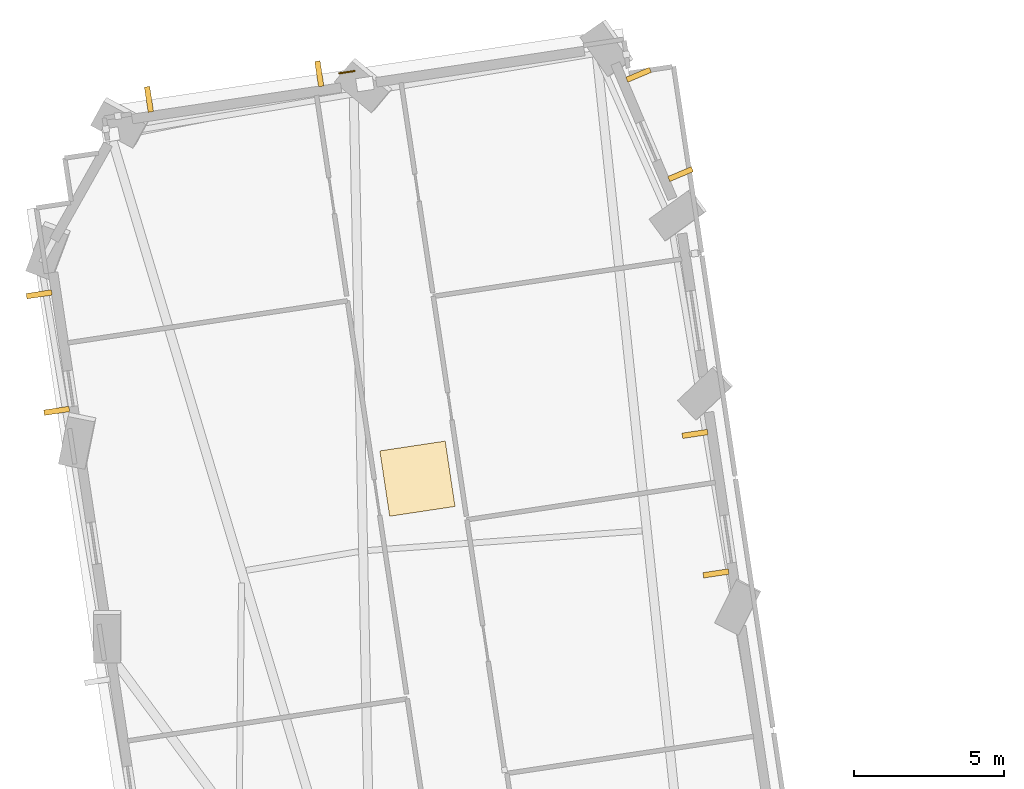
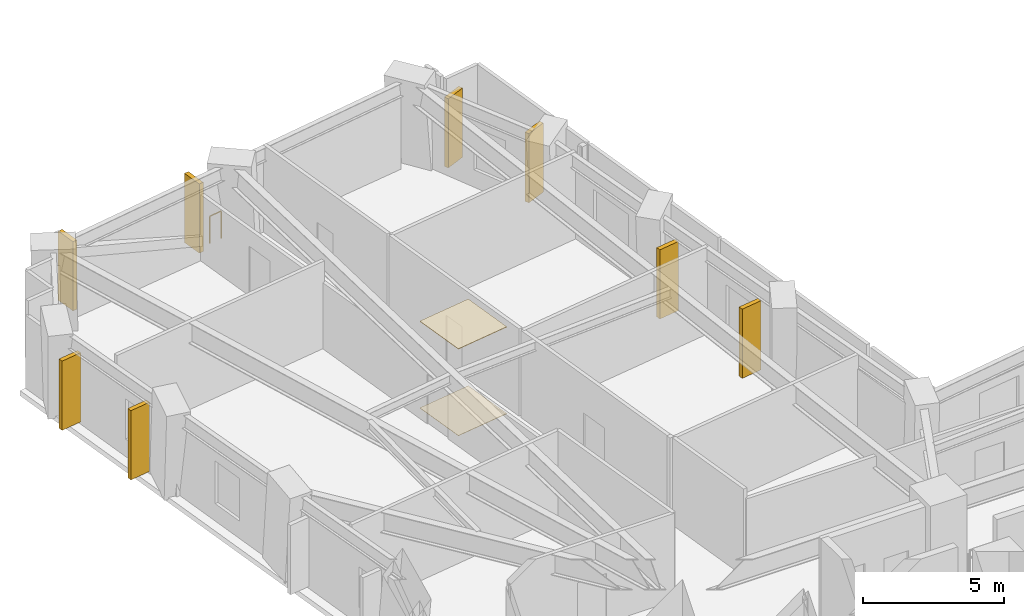
# One storey, part 15 of 15: 8 shading devices, 2 coverings, 1 railing.
"""IFC4 building model written with IfcOpenShell, lengths in metres."""

from ifc_helpers import new_model, si_unit, direction, frame, origin, origin_2d, place, context, subcontext, project, spatial, rectangle, circle, extrude, material, layer, layer_set, type_object, element, save


model = new_model("IFC4")

# Units and contexts
model_context = context("Model", 3, precision=1e-05, world=origin(), true_north=direction((0.0, 1.0)))
body_context = subcontext(model_context, "Body", "Model", "MODEL_VIEW")
ifc_project = project(units=[si_unit("LENGTHUNIT", "METRE"), si_unit("AREAUNIT", "SQUARE_METRE"), si_unit("VOLUMEUNIT", "CUBIC_METRE"), si_unit("PLANEANGLEUNIT", "RADIAN"), si_unit("MASSUNIT", "GRAM", prefix="KILO")], contexts=[model_context])

# Site, building, storey
site_placement = place(None, origin())
site = spatial("IfcSite", under=ifc_project, at=site_placement, CompositionType="ELEMENT")
building_placement = place(site_placement, origin())
building = spatial("IfcBuilding", under=site, at=building_placement, Name="Gaonmaruhae Medical Tower", CompositionType="ELEMENT")
storey_placement = place(building_placement, frame((0.0, 0.0, 59.0)))
storey = spatial("IfcBuildingStorey", under=building, at=storey_placement, Name="L13", CompositionType="ELEMENT", Elevation=59.0)

# Coverings
ifc_material_1 = material(Name="Acoustic mineral ceiling tile", Category="finish")
ifc_layer_1 = layer(ifc_material_1, 0.02490234375)
ifc_layer_set_1 = layer_set([ifc_layer_1], Name="Acoustic mineral ceiling tile")
covering_type_1 = type_object("IfcCoveringType", Name="CLG-01 Antimicrobial Acoustic Mineral Ceiling", PredefinedType="CEILING", material=ifc_layer_set_1)
covering_1_placement = place(storey_placement, frame((15.49462890625, 34.41259765625, 3.755126953125), z_axis=(0.0, 0.0, 1.0), x_axis=(0.988886498745, 0.148672433897, 0.0)))
element("IfcCovering", 1, at=covering_1_placement, inside=storey, type_object=covering_type_1, Name="L13 Clinical Corridor Acoustic Ceiling", PredefinedType="CEILING", context=body_context, shape_type="SweptSolid", body=[
    extrude(rectangle(XDim=2.199951171875, YDim=2.199951171875, at=origin_2d()), origin(), (0.0, 0.0, 1.0), 0.02490234375),
])
ifc_material_2 = material(Name="Seamless clinical vinyl flooring", Category="finish")
ifc_layer_2 = layer(ifc_material_2, 0.014892578125)
ifc_layer_set_2 = layer_set([ifc_layer_2], Name="Seamless clinical vinyl flooring")
covering_type_2 = type_object("IfcCoveringType", Name="FLR-01 Seamless Clinical Antistatic Vinyl Flooring", PredefinedType="FLOORING", material=ifc_layer_set_2)
covering_2_placement = place(storey_placement, frame((15.49462890625, 34.41259765625, 0.00048828125), z_axis=(0.0, 0.0, 1.0), x_axis=(0.988886498745, 0.148672433897, 0.0)))
element("IfcCovering", 2, at=covering_2_placement, inside=storey, type_object=covering_type_2, Name="L13 Clinical Corridor Vinyl Flooring", PredefinedType="FLOORING", context=body_context, shape_type="SweptSolid", body=[
    extrude(rectangle(XDim=2.199951171875, YDim=2.199951171875, at=origin_2d()), origin(), (0.0, 0.0, 1.0), 0.014892578125),
])

# Railing
ifc_material_3 = material(Name="Stainless steel 316L and laminated safety glass", Category="steel")
ifc_layer_3 = layer(ifc_material_3, 0.080078125)
ifc_layer_set_3 = layer_set([ifc_layer_3], Name="Stainless steel 316L and laminated safety glass")
railing_type = type_object("IfcRailingType", Name="GD-120 Outdoor Terrace Safety Glass & Steel Balustrade", PredefinedType="BALUSTRADE", material=ifc_layer_set_3)
railing_placement = place(storey_placement, frame((12.89013671875, 47.90771484375, 0.0)))
element("IfcRailing", 3, at=railing_placement, inside=storey, type_object=railing_type, Name="L13 Perimeter Slab Edge Safety Balustrade 02", PredefinedType="BALUSTRADE", context=body_context, shape_type="SweptSolid", body=[
    extrude(circle(Radius=0.02392578125, at=origin_2d()), frame((0.0, 0.0, 1.17578125), z_axis=(0.988884358392, 0.148686669639, 0.0), x_axis=(-0.148686669639, 0.988884358392, 0.0)), (0.0, 0.0, 1.0), 0.517333984375),
    extrude(circle(Radius=0.02099609375, at=origin_2d()), origin(), (0.0, 0.0, 1.0), 1.15185546875),
    extrude(circle(Radius=0.02099609375, at=origin_2d()), frame((0.511474609375, 0.076904296875, 0.0)), (0.0, 0.0, 1.0), 1.15185546875),
])

# Shading devices
ifc_material_4 = material(Name="Pigmented coral precast concrete C45/55", Category="concrete")
shading_device_type = type_object("IfcShadingDeviceType", Name="SD-FIN1 Tower Vertical Coral Precast Shading Fin", PredefinedType="USERDEFINED", material=ifc_material_4)
for number, where, z_axis, x_axis, name in (
    (4, (25.43408203125, 31.258544921875, 0.08251953125), (0.0, 0.0, 1.0), (-0.148672433897, 0.988886498745, 0.0), "L13 Vertical Coral Precast Shading Fin NE01"),
    (5, (24.73583984375, 35.90283203125, 0.08251953125), (0.0, 0.0, 1.0), (-0.148672433897, 0.988886498745, 0.0), "L13 Vertical Coral Precast Shading Fin NE01B"),
    (6, (22.85546875, 47.857421875, 0.08251953125), (0.0, 0.0, 1.0), (0.389622302429, -0.920974734425, 0.0), "L13 Vertical Coral Precast Shading Fin NE03"),
    (7, (24.25390625, 44.552001953125, 0.08251953125), (0.0, 0.0, 1.0), (0.389622302429, -0.920974734425, 0.0), "L13 Vertical Coral Precast Shading Fin NE03B"),
    (8, (6.555908203125, 47.04150390625, 0.08251953125), (0.0, 0.0, 1.0), (0.988886498745, 0.148672433897, 0.0), "L13 Vertical Coral Precast Shading Fin N02"),
    (9, (12.226806640625, 47.89404296875, 0.08251953125), (0.0, 0.0, 1.0), (0.988886498745, 0.148672433897, 0.0), "L13 Vertical Coral Precast Shading Fin N02B"),
    (10, (3.4853515625, 36.671142578125, 0.08251953125), (0.0, 0.0, 1.0), (-0.1486896932, 0.98888390377, 0.0), "L13 Vertical Coral Precast Shading Fin W01"),
    (11, (2.902099609375, 40.550537109375, 0.08251953125), (0.0, 0.0, 1.0), (-0.1486896932, 0.98888390377, 0.0), "L13 Vertical Coral Precast Shading Fin W01B"),
):
    element("IfcShadingDevice", number, at=place(storey_placement, frame(where, z_axis=z_axis, x_axis=x_axis)), inside=storey, type_object=shading_device_type, Name=name, ObjectType="FIN", PredefinedType="USERDEFINED", context=body_context, shape_type="SweptSolid", body=[
        extrude(rectangle(XDim=0.179931640625, YDim=0.85009765625, at=origin_2d()), origin(), (0.0, 0.0, 1.0), 3.0),
    ])

save(model, "model.ifc")
